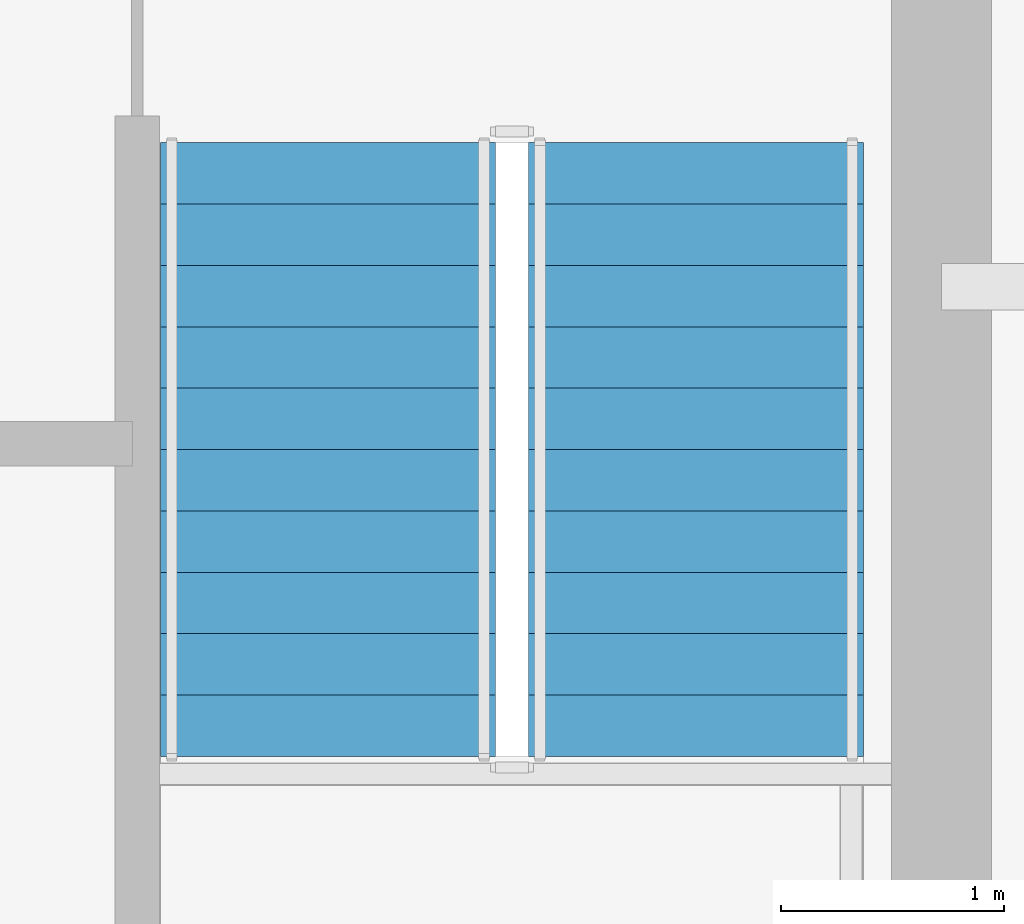
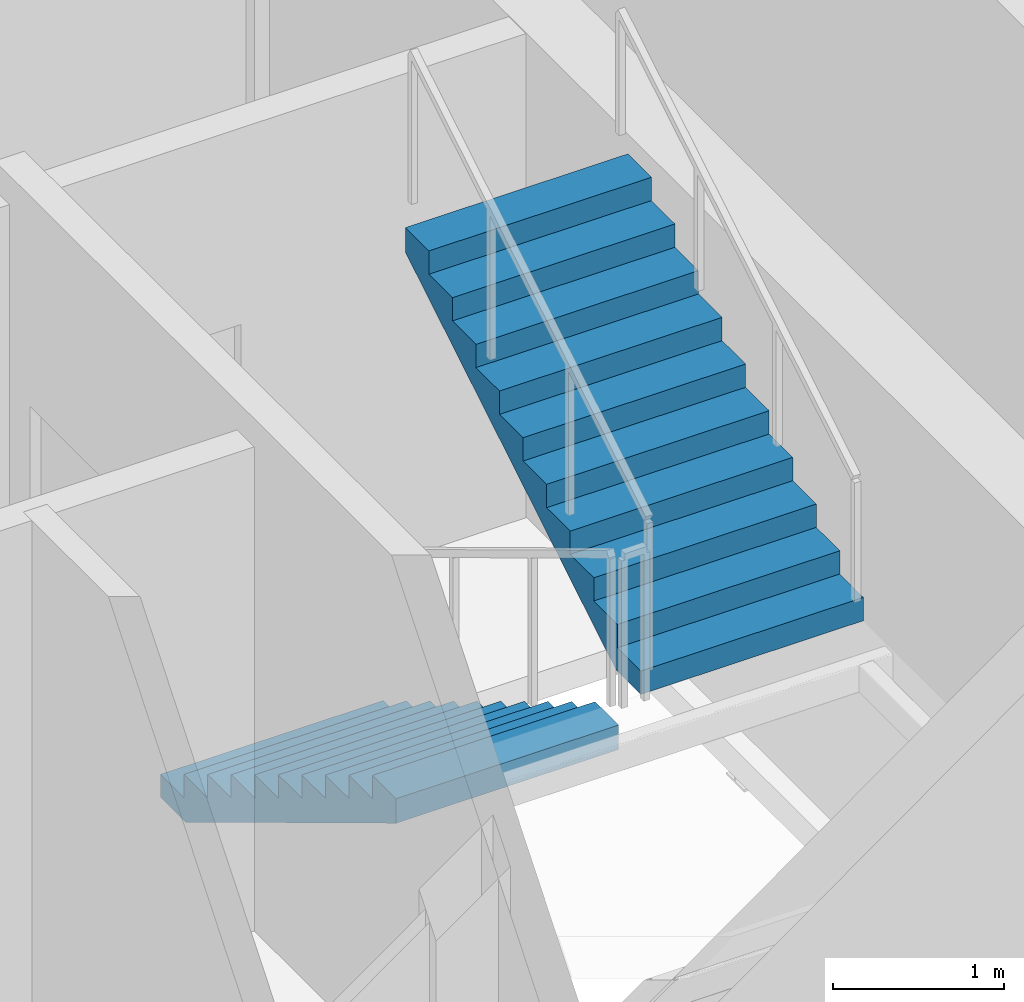
# One storey, part 8 of 11: 2 stair flights, 1 element without a shape of its own.
"""IFC4 building model written with IfcOpenShell, lengths in metres."""

from ifc_helpers import new_model, si_unit, direction, frame, origin, place, context, subcontext, project, spatial, polyline, outline, extrude, material, type_object, element, aggregate, save


model = new_model("IFC4")

# Units and contexts
model_context = context("Model", 3, precision=1e-05, world=origin(), true_north=direction((0.0, 1.0)))
body_context = subcontext(model_context, "Body", "Model", "MODEL_VIEW")
ifc_project = project(units=[si_unit("LENGTHUNIT", "METRE"), si_unit("AREAUNIT", "SQUARE_METRE"), si_unit("VOLUMEUNIT", "CUBIC_METRE"), si_unit("PLANEANGLEUNIT", "RADIAN"), si_unit("MASSUNIT", "GRAM", prefix="KILO")], contexts=[model_context])

# Site, building, storey
site_placement = place(None, origin())
site = spatial("IfcSite", under=ifc_project, at=site_placement, CompositionType="ELEMENT")
building_placement = place(site_placement, origin())
building = spatial("IfcBuilding", under=site, at=building_placement, Name="Cinnabar Lancet Tower", CompositionType="ELEMENT")
storey_placement = place(building_placement, frame((0.0, 0.0, 234.300048828125)))
storey = spatial("IfcBuildingStorey", under=building, at=storey_placement, Name="L62", CompositionType="ELEMENT", Elevation=234.300048828125)

# Stair, stair flights
ifc_material_1 = material(Name="Concrete C40/50", Category="concrete")
stair_type = type_object("IfcStairType", Name="ST-CORE", PredefinedType="HALF_TURN_STAIR", material=ifc_material_1)
stair_placement = place(storey_placement, origin())
stair = element("IfcStair", 1, at=stair_placement, inside=storey, type_object=stair_type, Name="L62 ST-2", PredefinedType="HALF_TURN_STAIR")
ifc_material_2 = material(Name="Concrete C40/50", Category="concrete")
stair_flight_type = type_object("IfcStairFlightType", Name="FLIGHT-CORE", PredefinedType="STRAIGHT", material=ifc_material_2)
stair_flight_1_placement = place(storey_placement, frame((38.875, 28.39990234375, 0.0), z_axis=(0.0, 0.0, 1.0), x_axis=(0.0, -1.0, 0.0)))
stair_flight_1 = element("IfcStairFlight", 2, at=stair_flight_1_placement, type_object=stair_flight_type, Name="ST-2 flight 1", NumberOfRisers=11, NumberOfTreads=10, PredefinedType="STRAIGHT", RiserHeight=0.165909091, TreadLength=0.275, context=body_context, shape_type="SweptSolid", body=[
    extrude(outline(polyline([(0.0, 0.0), (0.0, 0.166015625), (0.27490234375, 0.166015625), (0.27490234375, 0.331787109375), (0.550048828125, 0.331787109375), (0.550048828125, 0.497802734375), (0.824951171875, 0.497802734375), (0.824951171875, 0.66357421875), (1.10009765625, 0.66357421875), (1.10009765625, 0.82958984375), (1.375, 0.82958984375), (1.375, 0.995361328125), (1.64990234375, 0.995361328125), (1.64990234375, 1.161376953125), (1.925048828125, 1.161376953125), (1.925048828125, 1.327392578125), (2.199951171875, 1.327392578125), (2.199951171875, 1.4931640625), (2.47509765625, 1.4931640625), (2.47509765625, 1.6591796875), (2.75, 1.6591796875), (2.75, 1.824951171875), (2.75, 1.484130859375), (0.290283203125, 0.0), (0.0, 0.0)])), frame((0.0, 0.75, 0.0), z_axis=(0.0, -1.0, 0.0), x_axis=(1.0, 0.0, 0.0)), (0.0, 0.0, 1.0), 1.5),
])
stair_flight_2_placement = place(storey_placement, frame((40.52490234375, 25.64990234375, 1.824951171875), z_axis=(0.0, 0.0, 1.0), x_axis=(0.0, 1.0, 0.0)))
stair_flight_2 = element("IfcStairFlight", 3, at=stair_flight_2_placement, type_object=stair_flight_type, Name="ST-2 flight 2", NumberOfRisers=11, NumberOfTreads=10, PredefinedType="STRAIGHT", RiserHeight=0.165909091, TreadLength=0.275, context=body_context, shape_type="SweptSolid", body=[
    extrude(outline(polyline([(0.0, 0.0), (0.0, 0.166015625), (0.27490234375, 0.166015625), (0.27490234375, 0.331787109375), (0.550048828125, 0.331787109375), (0.550048828125, 0.497802734375), (0.824951171875, 0.497802734375), (0.824951171875, 0.66357421875), (1.10009765625, 0.66357421875), (1.10009765625, 0.82958984375), (1.375, 0.82958984375), (1.375, 0.995361328125), (1.64990234375, 0.995361328125), (1.64990234375, 1.161376953125), (1.925048828125, 1.161376953125), (1.925048828125, 1.327392578125), (2.199951171875, 1.327392578125), (2.199951171875, 1.4931640625), (2.47509765625, 1.4931640625), (2.47509765625, 1.6591796875), (2.75, 1.6591796875), (2.75, 1.824951171875), (2.75, 1.484130859375), (0.290283203125, 0.0), (0.0, 0.0)])), frame((0.0, 0.75, 0.0), z_axis=(0.0, -1.0, 0.0), x_axis=(1.0, 0.0, 0.0)), (0.0, 0.0, 1.0), 1.5),
])
aggregate(stair, [stair_flight_1, stair_flight_2])

save(model, "model.ifc")
